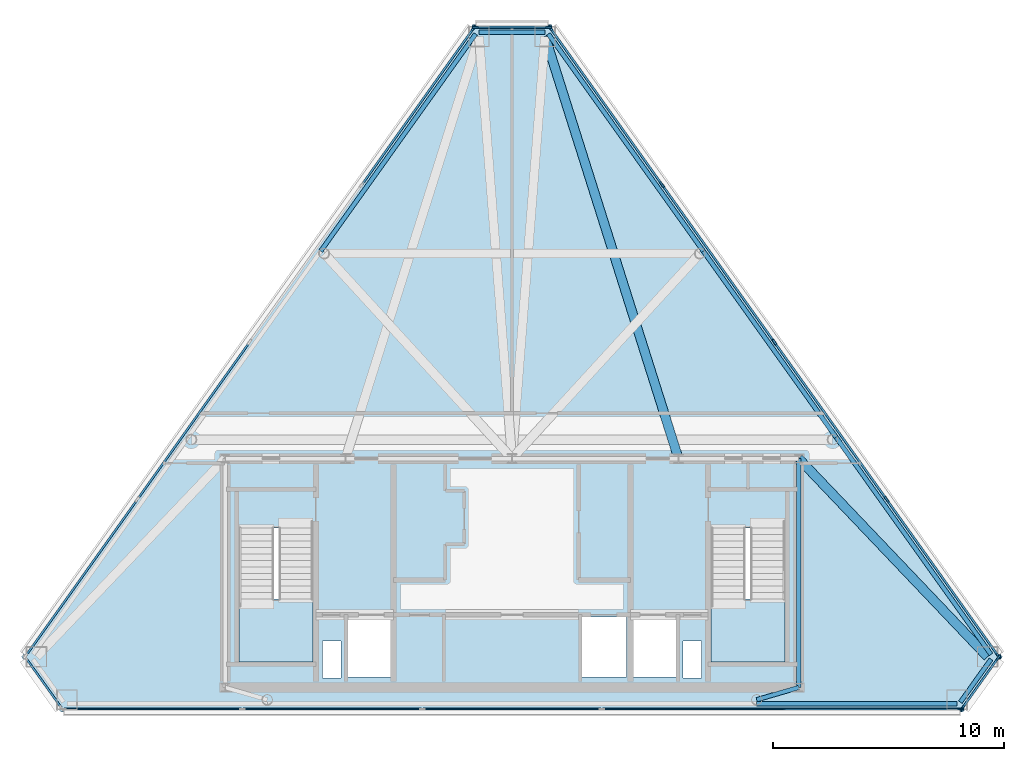
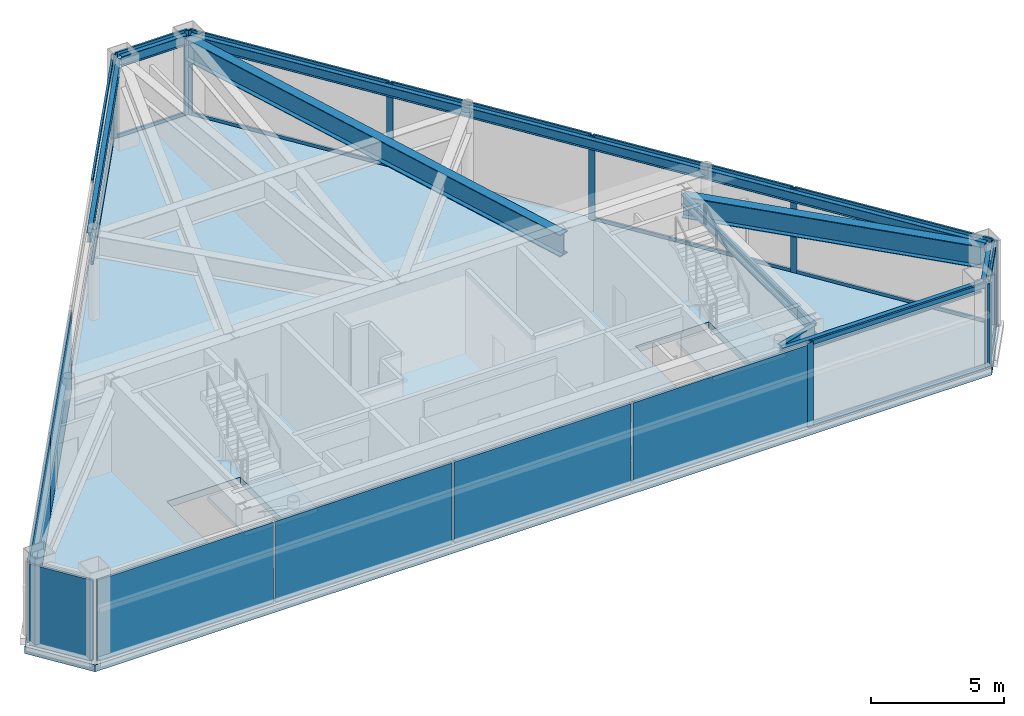
# One storey, part 2 of 5: 27 members, 11 beams, 7 plates, 3 slabs, 8 elements without a shape of their own.
"""IFC4 building model written with IfcOpenShell, lengths in metres."""

from ifc_helpers import new_model, si_unit, direction, frame, origin, origin_2d, place, context, subcontext, project, spatial, polyline, rectangle, i_section, outline, extrude, source, transform, mapped, material, layer, layer_set, material_profile, profile_set, type_object, type_shapes, element, aggregate, save


model = new_model("IFC4")

# Units and contexts
model_context = context("Model", 3, precision=1e-05, world=origin(), true_north=direction((0.0, 1.0)))
body_context = subcontext(model_context, "Body", "Model", "MODEL_VIEW")
ifc_project = project(units=[si_unit("LENGTHUNIT", "METRE"), si_unit("AREAUNIT", "SQUARE_METRE"), si_unit("VOLUMEUNIT", "CUBIC_METRE"), si_unit("PLANEANGLEUNIT", "RADIAN"), si_unit("MASSUNIT", "GRAM", prefix="KILO")], contexts=[model_context])

# Site, building, storey
site_placement = place(None, origin())
site = spatial("IfcSite", under=ifc_project, at=site_placement, CompositionType="ELEMENT")
building_placement = place(site_placement, origin())
building = spatial("IfcBuilding", under=site, at=building_placement, Name="Talgorran Terracotta Tower", CompositionType="ELEMENT")
storey_placement = place(building_placement, frame((0.0, 0.0, 301.800048828125)))
storey = spatial("IfcBuildingStorey", under=building, at=storey_placement, Name="L79", CompositionType="ELEMENT", Elevation=301.800048828125)

# Beams
ifc_material_1 = material(Name="Steel Grade 350 (350L0)", Category="steel")
ifc_material_profile_1 = material_profile(ifc_material_1, i_section(OverallWidth=0.39990234375, OverallDepth=1.0, WebThickness=0.01611328125, FlangeThickness=0.031005859375, at=origin_2d()), Name="1000WB296")
ifc_profile_set_1 = profile_set([ifc_material_profile_1], Name="Steel Grade 350 (350L0)")
beam_type_1 = type_object("IfcBeamType", Name="BM_1000WB296", PredefinedType="BEAM", material=ifc_profile_set_1)
beam_1_placement = place(storey_placement, frame((7.199951171875, -4.199951171875, 3.3798828125), z_axis=(-0.301538397756, 0.953454033857, 0.0), x_axis=(-0.953454033857, -0.301538397756, 0.0)))
element("IfcBeam", 1, at=beam_1_placement, inside=storey, type_object=beam_type_1, Name="L79 Observation/Crown Girder OG2", PredefinedType="BEAM", context=body_context, shape_type="SweptSolid", body=[
    extrude(i_section(OverallWidth=0.39990234375, OverallDepth=1.0, WebThickness=0.01611328125, FlangeThickness=0.031005859375, at=origin_2d()), origin(), (0.0, 0.0, 1.0), 19.145751953125),
])
beam_2_placement = place(storey_placement, frame((12.39990234375, -4.199951171875, 3.3798828125), z_axis=(0.689671131697, -0.724122731382, 0.0), x_axis=(0.724122731382, 0.689671131697, 0.0)))
element("IfcBeam", 2, at=beam_2_placement, inside=storey, type_object=beam_type_1, Name="L79 Observation/Crown Girder OG7", PredefinedType="BEAM", context=body_context, shape_type="SweptSolid", body=[
    extrude(i_section(OverallWidth=0.39990234375, OverallDepth=1.0, WebThickness=0.01611328125, FlangeThickness=0.031005859375, at=origin_2d()), origin(), (0.0, 0.0, 1.0), 11.841552734375),
])
ifc_material_2 = material(Name="Steel S355 (300PLUS)", Category="steel")
ifc_material_profile_2 = material_profile(ifc_material_2, i_section(OverallWidth=0.18994140625, OverallDepth=0.45703125, WebThickness=0.009033203125, FlangeThickness=0.014404296875, at=origin_2d()), Name="460UB74.6")
ifc_profile_set_2 = profile_set([ifc_material_profile_2], Name="Steel S355 (300PLUS)")
beam_type_2 = type_object("IfcBeamType", Name="BM_SP_460UB74", PredefinedType="SPANDREL", material=ifc_profile_set_2)
beam_3_placement = place(storey_placement, frame((10.58349609375, -14.81005859375, 3.6513671875), z_axis=(1.0, 0.0, 0.0), x_axis=(0.0, 1.0, 0.0)))
element("IfcBeam", 3, at=beam_3_placement, inside=storey, type_object=beam_type_2, Name="L79 Perimeter Spandrel Beam FC2-MC3", PredefinedType="SPANDREL", context=body_context, shape_type="SweptSolid", body=[
    extrude(i_section(OverallWidth=0.18994140625, OverallDepth=0.45703125, WebThickness=0.009033203125, FlangeThickness=0.014404296875, at=origin_2d()), origin(), (0.0, 0.0, 1.0), 8.659423828125),
])
beam_4_placement = place(storey_placement, frame((19.389404296875, -14.734619140625, 3.6513671875), z_axis=(0.580772007805, 0.814066259557, 0.0), x_axis=(-0.814066259557, 0.580772007805, 0.0)))
element("IfcBeam", 4, at=beam_4_placement, inside=storey, type_object=beam_type_2, Name="L79 Perimeter Spandrel Beam MC3-MC4", PredefinedType="SPANDREL", context=body_context, shape_type="SweptSolid", body=[
    extrude(i_section(OverallWidth=0.18994140625, OverallDepth=0.45703125, WebThickness=0.009033203125, FlangeThickness=0.014404296875, at=origin_2d()), origin(), (0.0, 0.0, 1.0), 2.279296875),
])
beam_5_placement = place(storey_placement, frame((20.713134765625, -12.670166015625, 3.6513671875), z_axis=(-0.580753577836, 0.81407940757, 0.0), x_axis=(-0.81407940757, -0.580753577836, 0.0)))
element("IfcBeam", 5, at=beam_5_placement, inside=storey, type_object=beam_type_2, Name="L79 Perimeter Spandrel Beam MC4-FC3", PredefinedType="SPANDREL", context=body_context, shape_type="SweptSolid", body=[
    extrude(i_section(OverallWidth=0.18994140625, OverallDepth=0.45703125, WebThickness=0.009033203125, FlangeThickness=0.014404296875, at=origin_2d()), origin(), (0.0, 0.0, 1.0), 11.534912109375),
])
beam_6_placement = place(storey_placement, frame((14.01416015625, -3.27978515625, 3.6513671875), z_axis=(-0.58076625008, 0.814070367209, 0.0), x_axis=(-0.814070367209, -0.58076625008, 0.0)))
element("IfcBeam", 6, at=beam_6_placement, inside=storey, type_object=beam_type_2, Name="L79 Perimeter Spandrel Beam FC3-FC4", PredefinedType="SPANDREL", context=body_context, shape_type="SweptSolid", body=[
    extrude(i_section(OverallWidth=0.18994140625, OverallDepth=0.45703125, WebThickness=0.009033203125, FlangeThickness=0.014404296875, at=origin_2d()), origin(), (0.0, 0.0, 1.0), 9.88671875),
])
beam_7_placement = place(storey_placement, frame((8.272216796875, 4.768798828125, 3.6513671875), z_axis=(-0.580753577836, 0.81407940757, 0.0), x_axis=(-0.81407940757, -0.580753577836, 0.0)))
element("IfcBeam", 7, at=beam_7_placement, inside=storey, type_object=beam_type_2, Name="L79 Perimeter Spandrel Beam FC4-MC5", PredefinedType="SPANDREL", context=body_context, shape_type="SweptSolid", body=[
    extrude(i_section(OverallWidth=0.18994140625, OverallDepth=0.45703125, WebThickness=0.009033203125, FlangeThickness=0.014404296875, at=origin_2d()), origin(), (0.0, 0.0, 1.0), 11.534912109375),
])
beam_8_placement = place(storey_placement, frame((1.4267578125, 14.234619140625, 3.6513671875), z_axis=(-1.0, 0.0, 0.0), x_axis=(0.0, -1.0, 0.0)))
element("IfcBeam", 8, at=beam_8_placement, inside=storey, type_object=beam_type_2, Name="L79 Perimeter Spandrel Beam MC5-MC6", PredefinedType="SPANDREL", context=body_context, shape_type="SweptSolid", body=[
    extrude(i_section(OverallWidth=0.18994140625, OverallDepth=0.45703125, WebThickness=0.009033203125, FlangeThickness=0.014404296875, at=origin_2d()), origin(), (0.0, 0.0, 1.0), 2.853515625),
])
beam_9_placement = place(storey_placement, frame((-1.5732421875, 14.1591796875, 3.6513671875), z_axis=(-0.580753577836, -0.81407940757, 0.0), x_axis=(0.81407940757, -0.580753577836, 0.0)))
element("IfcBeam", 9, at=beam_9_placement, inside=storey, type_object=beam_type_2, Name="L79 Perimeter Spandrel Beam MC6-FC5", PredefinedType="SPANDREL", context=body_context, shape_type="SweptSolid", body=[
    extrude(i_section(OverallWidth=0.18994140625, OverallDepth=0.45703125, WebThickness=0.009033203125, FlangeThickness=0.014404296875, at=origin_2d()), origin(), (0.0, 0.0, 1.0), 11.534912109375),
])
beam_10_placement = place(storey_placement, frame((12.39990234375, -14.10009765625, 3.6513671875), z_axis=(-0.96, -0.28, 0.0), x_axis=(0.28, -0.96, 0.0)))
element("IfcBeam", 10, at=beam_10_placement, inside=storey, type_object=beam_type_2, Name="L79 South-East Core Tie Beam", PredefinedType="SPANDREL", context=body_context, shape_type="SweptSolid", body=[
    extrude(i_section(OverallWidth=0.18994140625, OverallDepth=0.45703125, WebThickness=0.009033203125, FlangeThickness=0.014404296875, at=origin_2d()), origin(), (0.0, 0.0, 1.0), 1.89208984375),
])
beam_11_placement = place(storey_placement, frame((12.39990234375, -14.10009765625, 3.6513671875), z_axis=(0.0, 1.0, 0.0), x_axis=(-1.0, 0.0, 0.0)))
element("IfcBeam", 11, at=beam_11_placement, inside=storey, type_object=beam_type_2, Name="L79 Core Frame Beam CFE", PredefinedType="SPANDREL", context=body_context, shape_type="SweptSolid", body=[
    extrude(i_section(OverallWidth=0.18994140625, OverallDepth=0.45703125, WebThickness=0.009033203125, FlangeThickness=0.014404296875, at=origin_2d()), origin(), (0.0, 0.0, 1.0), 9.900146484375),
])

# Curtain wall, members
ifc_material_3 = material(Name="Anodised Aluminium Louvre", Category="aluminium")
ifc_layer_1 = layer(ifc_material_3, 0.25, Name="CW_SYS4_LOUVRE")
ifc_layer_set_1 = layer_set([ifc_layer_1], Name="Anodised Aluminium Louvre")
curtain_wall_type = type_object("IfcCurtainWallType", Name="CW_SYS4_LOUVRE", PredefinedType="NOTDEFINED", material=ifc_layer_set_1)
curtain_wall_1_placement = place(storey_placement, origin())
curtain_wall_1 = element("IfcCurtainWall", 12, at=curtain_wall_1_placement, inside=storey, type_object=curtain_wall_type, Name="CW-L79-F1", PredefinedType="NOTDEFINED")
ifc_material_4 = material(Name="Architectural Aluminium 6063-T6", Category="aluminium")
ifc_material_profile_3 = material_profile(ifc_material_4, rectangle(XDim=0.0849609375, YDim=0.260009765625, at=origin_2d()), Name="CWM85X260")
ifc_profile_set_3 = profile_set([ifc_material_profile_3], Name="Architectural Aluminium 6063-T6")
member_type_1 = type_object("IfcMemberType", Name="MUL_85X260", PredefinedType="MULLION", material=ifc_profile_set_3)
member_1_placement = place(storey_placement, frame((11.66943359375, -15.030029296875, 0.0), z_axis=(0.0, 0.0, 1.0), x_axis=(0.0, 1.0, 0.0)))
member_1 = element("IfcMember", 13, at=member_1_placement, type_object=member_type_1, Name="CW-L79-1 mullion 5", PredefinedType="MULLION", context=body_context, shape_type="SweptSolid", body=[
    extrude(rectangle(XDim=0.0849609375, YDim=0.260009765625, at=origin_2d()), origin(), (0.0, 0.0, 1.0), 3.8798828125),
])
member_2_placement = place(storey_placement, frame((19.406494140625, -15.030029296875, 0.0), z_axis=(0.0, 0.0, 1.0), x_axis=(0.0, 1.0, 0.0)))
member_2 = element("IfcMember", 14, at=member_2_placement, type_object=member_type_1, Name="CW-L79-1 mullion 6", PredefinedType="MULLION", context=body_context, shape_type="SweptSolid", body=[
    extrude(rectangle(XDim=0.0849609375, YDim=0.260009765625, at=origin_2d()), origin(), (0.0, 0.0, 1.0), 3.8798828125),
])

curtain_wall_2_placement = place(storey_placement, origin())
curtain_wall_2 = element("IfcCurtainWall", 15, at=curtain_wall_2_placement, inside=storey, type_object=curtain_wall_type, Name="CW-L79-F2", PredefinedType="NOTDEFINED")
member_3_placement = place(storey_placement, frame((19.4736328125, -14.995361328125, 0.0), z_axis=(0.0, 0.0, 1.0), x_axis=(-0.814074765018, 0.580760085543, 0.0)))
member_3 = element("IfcMember", 16, at=member_3_placement, type_object=member_type_1, Name="CW-L79-2 mullion 1", PredefinedType="MULLION", context=body_context, shape_type="SweptSolid", body=[
    extrude(rectangle(XDim=0.0849609375, YDim=0.260009765625, at=origin_2d()), origin(), (0.0, 0.0, 1.0), 3.8798828125),
])
member_4_placement = place(storey_placement, frame((21.033203125, -12.80908203125, 0.0), z_axis=(0.0, 0.0, 1.0), x_axis=(-0.814074765018, 0.580760085543, 0.0)))
member_4 = element("IfcMember", 17, at=member_4_placement, type_object=member_type_1, Name="CW-L79-2 mullion 2", PredefinedType="MULLION", context=body_context, shape_type="SweptSolid", body=[
    extrude(rectangle(XDim=0.0849609375, YDim=0.260009765625, at=origin_2d()), origin(), (0.0, 0.0, 1.0), 3.8798828125),
])

curtain_wall_3_placement = place(storey_placement, origin())
curtain_wall_3 = element("IfcCurtainWall", 18, at=curtain_wall_3_placement, inside=storey, type_object=curtain_wall_type, Name="CW-L79-F3", PredefinedType="NOTDEFINED")
member_5_placement = place(storey_placement, frame((21.033203125, -12.739990234375, 0.0), z_axis=(0.0, 0.0, 1.0), x_axis=(-0.814075935218, -0.580758445224, 0.0)))
member_5 = element("IfcMember", 19, at=member_5_placement, type_object=member_type_1, Name="CW-L79-3 mullion 1", PredefinedType="MULLION", context=body_context, shape_type="SweptSolid", body=[
    extrude(rectangle(XDim=0.0849609375, YDim=0.260009765625, at=origin_2d()), origin(), (0.0, 0.0, 1.0), 3.8798828125),
])
member_6_placement = place(storey_placement, frame((16.20166015625, -5.96728515625, 0.0), z_axis=(0.0, 0.0, 1.0), x_axis=(-0.814075935218, -0.580758445224, 0.0)))
member_6 = element("IfcMember", 20, at=member_6_placement, type_object=member_type_1, Name="CW-L79-3 mullion 2", PredefinedType="MULLION", context=body_context, shape_type="SweptSolid", body=[
    extrude(rectangle(XDim=0.0849609375, YDim=0.260009765625, at=origin_2d()), origin(), (0.0, 0.0, 1.0), 3.8798828125),
])
member_7_placement = place(storey_placement, frame((11.345458984375, 0.840087890625, 0.0), z_axis=(0.0, 0.0, 1.0), x_axis=(-0.814075935218, -0.580758445224, 0.0)))
member_7 = element("IfcMember", 21, at=member_7_placement, type_object=member_type_1, Name="CW-L79-3 mullion 3", PredefinedType="MULLION", context=body_context, shape_type="SweptSolid", body=[
    extrude(rectangle(XDim=0.0849609375, YDim=0.260009765625, at=origin_2d()), origin(), (0.0, 0.0, 1.0), 3.8798828125),
])
member_8_placement = place(storey_placement, frame((6.489013671875, 7.647216796875, 0.0), z_axis=(0.0, 0.0, 1.0), x_axis=(-0.814075935218, -0.580758445224, 0.0)))
member_8 = element("IfcMember", 22, at=member_8_placement, type_object=member_type_1, Name="CW-L79-3 mullion 4", PredefinedType="MULLION", context=body_context, shape_type="SweptSolid", body=[
    extrude(rectangle(XDim=0.0849609375, YDim=0.260009765625, at=origin_2d()), origin(), (0.0, 0.0, 1.0), 3.8798828125),
])
member_9_placement = place(storey_placement, frame((1.657470703125, 14.419921875, 0.0), z_axis=(0.0, 0.0, 1.0), x_axis=(-0.814075935218, -0.580758445224, 0.0)))
member_9 = element("IfcMember", 23, at=member_9_placement, type_object=member_type_1, Name="CW-L79-3 mullion 5", PredefinedType="MULLION", context=body_context, shape_type="SweptSolid", body=[
    extrude(rectangle(XDim=0.0849609375, YDim=0.260009765625, at=origin_2d()), origin(), (0.0, 0.0, 1.0), 3.8798828125),
])

curtain_wall_4_placement = place(storey_placement, origin())
curtain_wall_4 = element("IfcCurtainWall", 24, at=curtain_wall_4_placement, inside=storey, type_object=curtain_wall_type, Name="CW-L79-F4", PredefinedType="NOTDEFINED")
member_10_placement = place(storey_placement, frame((1.59033203125, 14.45458984375, 0.0), z_axis=(0.0, 0.0, 1.0), x_axis=(0.0, -1.0, 0.0)))
member_10 = element("IfcMember", 25, at=member_10_placement, type_object=member_type_1, Name="CW-L79-4 mullion 1", PredefinedType="MULLION", context=body_context, shape_type="SweptSolid", body=[
    extrude(rectangle(XDim=0.0849609375, YDim=0.260009765625, at=origin_2d()), origin(), (0.0, 0.0, 1.0), 3.8798828125),
])
member_11_placement = place(storey_placement, frame((-1.59033203125, 14.45458984375, 0.0), z_axis=(0.0, 0.0, 1.0), x_axis=(0.0, -1.0, 0.0)))
member_11 = element("IfcMember", 26, at=member_11_placement, type_object=member_type_1, Name="CW-L79-4 mullion 2", PredefinedType="MULLION", context=body_context, shape_type="SweptSolid", body=[
    extrude(rectangle(XDim=0.0849609375, YDim=0.260009765625, at=origin_2d()), origin(), (0.0, 0.0, 1.0), 3.8798828125),
])

# Curtain wall, member
curtain_wall_5_placement = place(storey_placement, origin())
curtain_wall_5 = element("IfcCurtainWall", 27, at=curtain_wall_5_placement, inside=storey, type_object=curtain_wall_type, Name="CW-L79-F5", PredefinedType="NOTDEFINED")
member_12_placement = place(storey_placement, frame((-1.657470703125, 14.419921875, 0.0), z_axis=(0.0, 0.0, 1.0), x_axis=(0.814075935218, -0.580758445224, 0.0)))
member_12 = element("IfcMember", 28, at=member_12_placement, type_object=member_type_1, Name="CW-L79-5 mullion 1", PredefinedType="MULLION", context=body_context, shape_type="SweptSolid", body=[
    extrude(rectangle(XDim=0.0849609375, YDim=0.260009765625, at=origin_2d()), origin(), (0.0, 0.0, 1.0), 3.8798828125),
])

# Member
ifc_material_profile_4 = material_profile(ifc_material_4, rectangle(XDim=0.0849609375, YDim=0.2099609375, at=origin_2d()), Name="CWT85X210")
ifc_profile_set_4 = profile_set([ifc_material_profile_4], Name="Architectural Aluminium 6063-T6")
member_type_2 = type_object("IfcMemberType", Name="TRN_85X210", PredefinedType="USERDEFINED", material=ifc_profile_set_4)
member_13_placement = place(storey_placement, frame((11.7119140625, -15.030029296875, 0.04248046875), z_axis=(1.0, 0.0, 0.0), x_axis=(0.0, 1.0, 0.0)))
member_13 = element("IfcMember", 29, at=member_13_placement, type_object=member_type_2, Name="CW-L79-1 transom 5.1", ObjectType="TRANSOM", PredefinedType="USERDEFINED", context=body_context, shape_type="SweptSolid", body=[
    extrude(rectangle(XDim=0.0849609375, YDim=0.2099609375, at=origin_2d()), origin(), (0.0, 0.0, 1.0), 7.652099609375),
])

member_14_placement = place(storey_placement, frame((11.7119140625, -15.030029296875, 3.83740234375), z_axis=(1.0, 0.0, 0.0), x_axis=(0.0, 1.0, 0.0)))
member_14 = element("IfcMember", 30, at=member_14_placement, type_object=member_type_2, Name="CW-L79-1 transom 5.2", ObjectType="TRANSOM", PredefinedType="USERDEFINED", context=body_context, shape_type="SweptSolid", body=[
    extrude(rectangle(XDim=0.0849609375, YDim=0.2099609375, at=origin_2d()), origin(), (0.0, 0.0, 1.0), 7.652099609375),
])

member_15_placement = place(storey_placement, frame((19.498291015625, -14.960693359375, 0.04248046875), z_axis=(0.580767406983, 0.814069541861, 0.0), x_axis=(-0.814069541861, 0.580767406983, 0.0)))
member_15 = element("IfcMember", 31, at=member_15_placement, type_object=member_type_2, Name="CW-L79-2 transom 1.1", ObjectType="TRANSOM", PredefinedType="USERDEFINED", context=body_context, shape_type="SweptSolid", body=[
    extrude(rectangle(XDim=0.0849609375, YDim=0.2099609375, at=origin_2d()), origin(), (0.0, 0.0, 1.0), 2.600341796875),
])

member_16_placement = place(storey_placement, frame((19.498291015625, -14.960693359375, 3.83740234375), z_axis=(0.580767406983, 0.814069541861, 0.0), x_axis=(-0.814069541861, 0.580767406983, 0.0)))
member_16 = element("IfcMember", 32, at=member_16_placement, type_object=member_type_2, Name="CW-L79-2 transom 1.2", ObjectType="TRANSOM", PredefinedType="USERDEFINED", context=body_context, shape_type="SweptSolid", body=[
    extrude(rectangle(XDim=0.0849609375, YDim=0.2099609375, at=origin_2d()), origin(), (0.0, 0.0, 1.0), 2.600341796875),
])

aggregate(curtain_wall_2, [member_3, member_4, member_15, member_16])

member_17_placement = place(storey_placement, frame((21.008544921875, -12.705322265625, 0.04248046875), z_axis=(-0.580764112187, 0.8140718924, 0.0), x_axis=(-0.8140718924, -0.580764112187, 0.0)))
member_17 = element("IfcMember", 33, at=member_17_placement, type_object=member_type_2, Name="CW-L79-3 transom 1.1", ObjectType="TRANSOM", PredefinedType="USERDEFINED", context=body_context, shape_type="SweptSolid", body=[
    extrude(rectangle(XDim=0.0849609375, YDim=0.2099609375, at=origin_2d()), origin(), (0.0, 0.0, 1.0), 8.234375),
])

member_18_placement = place(storey_placement, frame((21.008544921875, -12.705322265625, 3.83740234375), z_axis=(-0.580764112187, 0.8140718924, 0.0), x_axis=(-0.8140718924, -0.580764112187, 0.0)))
member_18 = element("IfcMember", 34, at=member_18_placement, type_object=member_type_2, Name="CW-L79-3 transom 1.2", ObjectType="TRANSOM", PredefinedType="USERDEFINED", context=body_context, shape_type="SweptSolid", body=[
    extrude(rectangle(XDim=0.0849609375, YDim=0.2099609375, at=origin_2d()), origin(), (0.0, 0.0, 1.0), 8.234375),
])

member_19_placement = place(storey_placement, frame((16.177001953125, -5.9326171875, 0.04248046875), z_axis=(-0.580758175294, 0.814076127785, 0.0), x_axis=(-0.814076127785, -0.580758175294, 0.0)))
member_19 = element("IfcMember", 35, at=member_19_placement, type_object=member_type_2, Name="CW-L79-3 transom 2.1", ObjectType="TRANSOM", PredefinedType="USERDEFINED", context=body_context, shape_type="SweptSolid", body=[
    extrude(rectangle(XDim=0.0849609375, YDim=0.2099609375, at=origin_2d()), origin(), (0.0, 0.0, 1.0), 8.27685546875),
])

member_20_placement = place(storey_placement, frame((16.177001953125, -5.9326171875, 3.83740234375), z_axis=(-0.580758175294, 0.814076127785, 0.0), x_axis=(-0.814076127785, -0.580758175294, 0.0)))
member_20 = element("IfcMember", 36, at=member_20_placement, type_object=member_type_2, Name="CW-L79-3 transom 2.2", ObjectType="TRANSOM", PredefinedType="USERDEFINED", context=body_context, shape_type="SweptSolid", body=[
    extrude(rectangle(XDim=0.0849609375, YDim=0.2099609375, at=origin_2d()), origin(), (0.0, 0.0, 1.0), 8.27685546875),
])

member_21_placement = place(storey_placement, frame((11.32080078125, 0.87451171875, 3.83740234375), z_axis=(-0.580763777589, 0.814072131104, 0.0), x_axis=(-0.814072131104, -0.580763777589, 0.0)))
member_21 = element("IfcMember", 37, at=member_21_placement, type_object=member_type_2, Name="CW-L79-3 transom 3.2", ObjectType="TRANSOM", PredefinedType="USERDEFINED", context=body_context, shape_type="SweptSolid", body=[
    extrude(rectangle(XDim=0.0849609375, YDim=0.2099609375, at=origin_2d()), origin(), (0.0, 0.0, 1.0), 8.27734375),
])

member_22_placement = place(storey_placement, frame((6.46435546875, 7.681884765625, 0.04248046875), z_axis=(-0.580750094886, 0.81408189225, 0.0), x_axis=(-0.81408189225, -0.580750094886, 0.0)))
member_22 = element("IfcMember", 38, at=member_22_placement, type_object=member_type_2, Name="CW-L79-3 transom 4.1", ObjectType="TRANSOM", PredefinedType="USERDEFINED", context=body_context, shape_type="SweptSolid", body=[
    extrude(rectangle(XDim=0.0849609375, YDim=0.2099609375, at=origin_2d()), origin(), (0.0, 0.0, 1.0), 8.234619140625),
])

member_23_placement = place(storey_placement, frame((6.46435546875, 7.681884765625, 3.83740234375), z_axis=(-0.580750094886, 0.81408189225, 0.0), x_axis=(-0.81408189225, -0.580750094886, 0.0)))
member_23 = element("IfcMember", 39, at=member_23_placement, type_object=member_type_2, Name="CW-L79-3 transom 4.2", ObjectType="TRANSOM", PredefinedType="USERDEFINED", context=body_context, shape_type="SweptSolid", body=[
    extrude(rectangle(XDim=0.0849609375, YDim=0.2099609375, at=origin_2d()), origin(), (0.0, 0.0, 1.0), 8.234619140625),
])

aggregate(curtain_wall_3, [member_5, member_6, member_7, member_8, member_9, member_17, member_18, member_19, member_20, member_21, member_22, member_23])

member_24_placement = place(storey_placement, frame((1.5478515625, 14.45458984375, 0.04248046875), z_axis=(-1.0, 0.0, 0.0), x_axis=(0.0, -1.0, 0.0)))
member_24 = element("IfcMember", 40, at=member_24_placement, type_object=member_type_2, Name="CW-L79-4 transom 1.1", ObjectType="TRANSOM", PredefinedType="USERDEFINED", context=body_context, shape_type="SweptSolid", body=[
    extrude(rectangle(XDim=0.0849609375, YDim=0.2099609375, at=origin_2d()), origin(), (0.0, 0.0, 1.0), 3.095703125),
])

member_25_placement = place(storey_placement, frame((1.5478515625, 14.45458984375, 3.83740234375), z_axis=(-1.0, 0.0, 0.0), x_axis=(0.0, -1.0, 0.0)))
member_25 = element("IfcMember", 41, at=member_25_placement, type_object=member_type_2, Name="CW-L79-4 transom 1.2", ObjectType="TRANSOM", PredefinedType="USERDEFINED", context=body_context, shape_type="SweptSolid", body=[
    extrude(rectangle(XDim=0.0849609375, YDim=0.2099609375, at=origin_2d()), origin(), (0.0, 0.0, 1.0), 3.095703125),
])

aggregate(curtain_wall_4, [member_10, member_11, member_24, member_25])

member_26_placement = place(storey_placement, frame((-1.68212890625, 14.385498046875, 0.04248046875), z_axis=(-0.580750094886, -0.81408189225, 0.0), x_axis=(0.81408189225, -0.580750094886, 0.0)))
member_26 = element("IfcMember", 42, at=member_26_placement, type_object=member_type_2, Name="CW-L79-5 transom 1.1", ObjectType="TRANSOM", PredefinedType="USERDEFINED", context=body_context, shape_type="SweptSolid", body=[
    extrude(rectangle(XDim=0.0849609375, YDim=0.2099609375, at=origin_2d()), origin(), (0.0, 0.0, 1.0), 8.234619140625),
])

member_27_placement = place(storey_placement, frame((-1.68212890625, 14.385498046875, 3.83740234375), z_axis=(-0.580750094886, -0.81408189225, 0.0), x_axis=(0.81408189225, -0.580750094886, 0.0)))
member_27 = element("IfcMember", 43, at=member_27_placement, type_object=member_type_2, Name="CW-L79-5 transom 1.2", ObjectType="TRANSOM", PredefinedType="USERDEFINED", context=body_context, shape_type="SweptSolid", body=[
    extrude(rectangle(XDim=0.0849609375, YDim=0.2099609375, at=origin_2d()), origin(), (0.0, 0.0, 1.0), 8.234619140625),
])

# Stair, slab
ifc_material_5 = material(Name="Concrete C40/50", Category="concrete")
stair_type = type_object("IfcStairType", Name="ST_FIRE_SCISSOR", PredefinedType="HALF_TURN_STAIR", material=ifc_material_5)
stair_1_placement = place(storey_placement, origin())
stair_1 = element("IfcStair", 44, at=stair_1_placement, inside=storey, type_object=stair_type, Name="L79 West Protected Fire Stair ST-01", PredefinedType="HALF_TURN_STAIR")
ifc_layer_2 = layer(ifc_material_5, 0.199951171875, Name="SL_LANDING_200")
ifc_layer_set_2 = layer_set([ifc_layer_2], Name="Concrete C40/50")
slab_type_1 = type_object("IfcSlabType", Name="SL_LANDING_200", PredefinedType="LANDING", material=ifc_layer_set_2)
slab_1_placement = place(storey_placement, frame((0.0, 0.0, 1.89990234375)))
slab_1 = element("IfcSlab", 45, at=slab_1_placement, type_object=slab_type_1, Name="ST-01 landing 1", PredefinedType="LANDING", context=body_context, shape_type="SweptSolid", body=[
    extrude(outline(polyline([(-11.800048828125, -10.280029296875), (-11.800048828125, -13.0), (-8.60009765625, -13.0), (-8.60009765625, -10.280029296875), (-11.800048828125, -10.280029296875)])), origin(), (0.0, 0.0, 1.0), 0.199951171875),
])
aggregate(stair_1, [slab_1])

stair_2_placement = place(storey_placement, origin())
stair_2 = element("IfcStair", 46, at=stair_2_placement, inside=storey, type_object=stair_type, Name="L79 East Protected Fire Stair ST-02", PredefinedType="HALF_TURN_STAIR")
slab_2_placement = place(storey_placement, frame((0.0, 0.0, 1.89990234375)))
slab_2 = element("IfcSlab", 47, at=slab_2_placement, type_object=slab_type_1, Name="ST-02 landing 1", PredefinedType="LANDING", context=body_context, shape_type="SweptSolid", body=[
    extrude(outline(polyline([(8.60009765625, -10.280029296875), (8.60009765625, -13.0), (11.800048828125, -13.0), (11.800048828125, -10.280029296875), (8.60009765625, -10.280029296875)])), origin(), (0.0, 0.0, 1.0), 0.199951171875),
])
aggregate(stair_2, [slab_2])

# Slab
ifc_material_6 = material(Name="Concrete C50/60", Category="concrete")
ifc_layer_3 = layer(ifc_material_6, 0.320068359375, Name="SL_PLANT_320")
ifc_layer_set_3 = layer_set([ifc_layer_3], Name="Concrete C50/60")
slab_type_2 = type_object("IfcSlabType", Name="SL_PLANT_320", PredefinedType="FLOOR", material=ifc_layer_set_3)
slab_3_placement = place(storey_placement, frame((0.0, 0.0, -0.320068359375)))
element("IfcSlab", 48, at=slab_3_placement, inside=storey, type_object=slab_type_2, Name="Storey L79 Structural Floor Slab", PredefinedType="FLOOR", context=body_context, shape_type="SweptSolid", body=[
    extrude(outline(polyline([(-21.205322265625, -12.774658203125), (-19.5107421875, -15.14990234375), (19.5107421875, -15.14990234375), (21.205322265625, -12.774658203125), (1.694580078125, 14.57470703125), (-1.694580078125, 14.57470703125), (-21.205322265625, -12.774658203125)]), holes=[polyline([(-11.800048828125, -7.199951171875), (-11.800048828125, -13.0), (-8.60009765625, -13.0), (-8.60009765625, -7.199951171875), (-11.800048828125, -7.199951171875)]), polyline([(8.60009765625, -7.199951171875), (8.60009765625, -13.0), (11.800048828125, -13.0), (11.800048828125, -7.199951171875), (8.60009765625, -7.199951171875)]), polyline([(-7.10009765625, -13.64990234375), (-5.199951171875, -13.64990234375), (-5.199951171875, -11.050048828125), (-7.10009765625, -11.050048828125), (-7.10009765625, -13.64990234375)]), polyline([(5.199951171875, -13.64990234375), (7.10009765625, -13.64990234375), (7.10009765625, -11.050048828125), (5.199951171875, -11.050048828125), (5.199951171875, -13.64990234375)]), polyline([(3.0, -13.64990234375), (4.949951171875, -13.64990234375), (4.949951171875, -11.050048828125), (3.0, -11.050048828125), (3.0, -13.64990234375)]), polyline([(-8.199951171875, -13.699951171875), (-7.39990234375, -13.699951171875), (-7.39990234375, -12.10009765625), (-8.199951171875, -12.10009765625), (-8.199951171875, -13.699951171875)]), polyline([(7.39990234375, -13.699951171875), (8.199951171875, -13.699951171875), (8.199951171875, -12.10009765625), (7.39990234375, -12.10009765625), (7.39990234375, -13.699951171875)])]), origin(), (0.0, 0.0, 1.0), 0.320068359375),
])

# Curtain wall, plate
curtain_wall_6_placement = place(storey_placement, origin())
curtain_wall_6 = element("IfcCurtainWall", 49, at=curtain_wall_6_placement, inside=storey, type_object=curtain_wall_type, Name="CW-L79-F0", PredefinedType="NOTDEFINED")
ifc_material_7 = material(Name="Anodised Aluminium Louvre Panel", Category="aluminium")
ifc_layer_4 = layer(ifc_material_7, 0.0849609375, Name="PLT_LOUVRE_BLADE")
ifc_layer_set_4 = layer_set([ifc_layer_4], Name="Anodised Aluminium Louvre Panel")
plate_type = type_object("IfcPlateType", Name="PLT_LOUVRE_BLADE", PredefinedType="CURTAIN_PANEL", material=ifc_layer_set_4)
shared_shape_1 = source(origin(), body_context, "Body", "SweptSolid", [
    extrude(rectangle(XDim=2.6005859375, YDim=0.0849609375, at=origin_2d()), origin(), (0.0, 0.0, 1.0), 3.7099609375),
])
plate_1_placement = place(storey_placement, frame((-20.25341796875, -13.90234375, 0.0849609375), z_axis=(0.0, 0.0, 1.0), x_axis=(0.580760085543, -0.814074765018, 0.0)))
plate_1 = element("IfcPlate", 50, at=plate_1_placement, type_object=plate_type, Name="CW-L79-0 panel 1.1", PredefinedType="CURTAIN_PANEL", context=body_context, shape_type="MappedRepresentation", body=[
    mapped(shared_shape_1, transform((0.0, 0.0, 0.0), scale=1.0)),
])
aggregate(curtain_wall_6, [plate_1])

# Plate
shared_shape_2 = source(origin(), body_context, "Body", "SweptSolid", [
    extrude(rectangle(XDim=7.652099609375, YDim=0.0849609375, at=origin_2d()), origin(), (0.0, 0.0, 1.0), 3.7099609375),
])
plate_2_placement = place(storey_placement, frame((-15.537841796875, -15.030029296875, 0.0849609375), z_axis=(0.0, 0.0, 1.0), x_axis=(1.0, 0.0, 0.0)))
plate_2 = element("IfcPlate", 51, at=plate_2_placement, type_object=plate_type, Name="CW-L79-1 panel 1.1", PredefinedType="CURTAIN_PANEL", context=body_context, shape_type="MappedRepresentation", body=[
    mapped(shared_shape_2, transform((0.0, 0.0, 0.0), scale=1.0)),
])

shared_shape_3 = source(origin(), body_context, "Body", "SweptSolid", [
    extrude(rectangle(XDim=7.694580078125, YDim=0.0849609375, at=origin_2d()), origin(), (0.0, 0.0, 1.0), 3.7099609375),
])
plate_3_placement = place(storey_placement, frame((-7.779541015625, -15.030029296875, 0.0849609375), z_axis=(0.0, 0.0, 1.0), x_axis=(1.0, 0.0, 0.0)))
plate_3 = element("IfcPlate", 52, at=plate_3_placement, type_object=plate_type, Name="CW-L79-1 panel 2.1", PredefinedType="CURTAIN_PANEL", context=body_context, shape_type="MappedRepresentation", body=[
    mapped(shared_shape_3, transform((0.0, 0.0, 0.0), scale=1.0)),
])

plate_4_placement = place(storey_placement, frame((0.0, -15.030029296875, 0.0849609375), z_axis=(0.0, 0.0, 1.0), x_axis=(1.0, 0.0, 0.0)))
plate_4 = element("IfcPlate", 53, at=plate_4_placement, type_object=plate_type, Name="CW-L79-1 panel 3.1", PredefinedType="CURTAIN_PANEL", context=body_context, shape_type="MappedRepresentation", body=[
    mapped(shared_shape_3, transform((0.0, 0.0, 0.0), scale=1.0)),
])

plate_5_placement = place(storey_placement, frame((7.779541015625, -15.030029296875, 0.0849609375), z_axis=(0.0, 0.0, 1.0), x_axis=(1.0, 0.0, 0.0)))
plate_5 = element("IfcPlate", 54, at=plate_5_placement, type_object=plate_type, Name="CW-L79-1 panel 4.1", PredefinedType="CURTAIN_PANEL", context=body_context, shape_type="MappedRepresentation", body=[
    mapped(shared_shape_3, transform((0.0, 0.0, 0.0), scale=1.0)),
])

aggregate(curtain_wall_1, [member_1, member_2, plate_2, plate_3, plate_4, plate_5, member_13, member_14])

shared_shape_4 = source(origin(), body_context, "Body", "SweptSolid", [
    extrude(rectangle(XDim=8.234375, YDim=0.0849609375, at=origin_2d()), origin(), (0.0, 0.0, 1.0), 3.7099609375),
])
plate_6_placement = place(storey_placement, frame((-18.617431640625, -9.353759765625, 0.0849609375), z_axis=(0.0, 0.0, 1.0), x_axis=(-0.580758445224, -0.814075935218, 0.0)))
plate_6 = element("IfcPlate", 55, at=plate_6_placement, type_object=plate_type, Name="CW-L79-5 panel 4.1", PredefinedType="CURTAIN_PANEL", context=body_context, shape_type="MappedRepresentation", body=[
    mapped(shared_shape_4, transform((0.0, 0.0, 0.0), scale=1.0)),
])

shared_shape_5 = source(origin(), body_context, "Body", "SweptSolid", [
    extrude(rectangle(XDim=8.277099609375, YDim=0.0849609375, at=origin_2d()), origin(), (0.0, 0.0, 1.0), 3.7099609375),
])
type_shapes(plate_type, [shared_shape_1, shared_shape_2, shared_shape_3, shared_shape_4, shared_shape_5])
plate_7_placement = place(storey_placement, frame((-13.7734375, -2.563720703125, 0.0849609375), z_axis=(0.0, 0.0, 1.0), x_axis=(-0.580758445224, -0.814075935218, 0.0)))
plate_7 = element("IfcPlate", 56, at=plate_7_placement, type_object=plate_type, Name="CW-L79-5 panel 3.1", PredefinedType="CURTAIN_PANEL", context=body_context, shape_type="MappedRepresentation", body=[
    mapped(shared_shape_5, transform((0.0, 0.0, 0.0), scale=1.0)),
])

aggregate(curtain_wall_5, [member_12, member_26, member_27, plate_7, plate_6])

save(model, "model.ifc")
